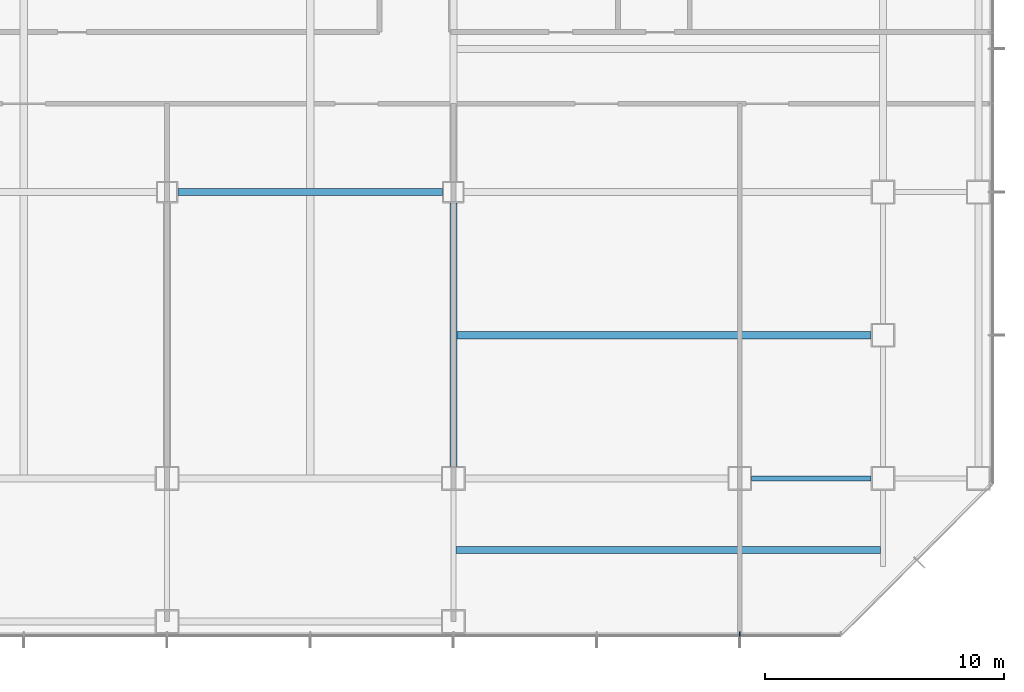
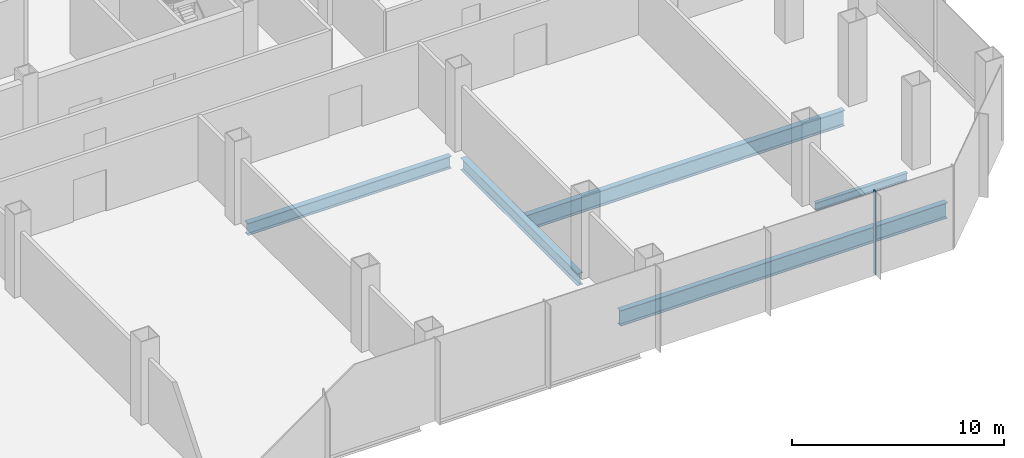
# One storey, part 9 of 33: 5 beams, 1 member, 1 element without a shape of its own.
"""IFC4 building model written with IfcOpenShell, lengths in metres."""

from ifc_helpers import new_model, si_unit, direction, frame, origin, origin_2d, place, context, subcontext, project, spatial, rectangle, i_section, extrude, material, material_profile, profile_set, type_object, element, aggregate, save


model = new_model("IFC4")

# Units and contexts
model_context = context("Model", 3, precision=1e-05, world=origin(), true_north=direction((0.0, 1.0)))
body_context = subcontext(model_context, "Body", "Model", "MODEL_VIEW")
ifc_project = project(units=[si_unit("LENGTHUNIT", "METRE"), si_unit("AREAUNIT", "SQUARE_METRE"), si_unit("VOLUMEUNIT", "CUBIC_METRE"), si_unit("PLANEANGLEUNIT", "RADIAN"), si_unit("MASSUNIT", "GRAM", prefix="KILO")], contexts=[model_context])

# Site, building, storey
site_placement = place(None, origin())
site = spatial("IfcSite", under=ifc_project, at=site_placement, CompositionType="ELEMENT")
building_placement = place(site_placement, origin())
building = spatial("IfcBuilding", under=site, at=building_placement, Name="Sorahane Residences", CompositionType="ELEMENT")
storey_placement = place(building_placement, frame((0.0, 0.0, 30.0)))
storey = spatial("IfcBuildingStorey", under=building, at=storey_placement, Name="L04", CompositionType="ELEMENT", Elevation=30.0)

# Curtain wall, member
ifc_material_1 = material(Name="Dark low-e glass and black anodised aluminium", Category="aluminium")
curtain_wall_type = type_object("IfcCurtainWallType", Name="Curtain wall CW-3 Podium unitised wall", PredefinedType="NOTDEFINED", material=ifc_material_1)
curtain_wall_placement = place(storey_placement, origin())
curtain_wall = element("IfcCurtainWall", 1, at=curtain_wall_placement, inside=storey, type_object=curtain_wall_type, Name="CW-3 curtain wall L04 S1", PredefinedType="NOTDEFINED")
ifc_material_2 = material(Name="Black anodised aluminium", Category="aluminium")
ifc_material_profile_1 = material_profile(ifc_material_2, rectangle(XDim=0.199951171875, YDim=0.050048828125, at=origin_2d()), Name="Curtain wall mullion CW-3 black anodised aluminium 50x200")
ifc_profile_set_1 = profile_set([ifc_material_profile_1], Name="Black anodised aluminium")
member_type = type_object("IfcMemberType", Name="Curtain wall mullion CW-3 black anodised aluminium 50x200", PredefinedType="MULLION", material=ifc_profile_set_1)
member_placement = place(storey_placement, frame((60.0, -6.52001953125, -0.39990234375), z_axis=(0.0, 0.0, 1.0), x_axis=(0.0, -1.0, 0.0)))
member = element("IfcMember", 2, at=member_placement, type_object=member_type, Name="CW-3 mullion L04 S1.10", PredefinedType="MULLION", context=body_context, shape_type="SweptSolid", body=[
    extrude(rectangle(XDim=0.199951171875, YDim=0.050048828125, at=origin_2d()), origin(), (0.0, 0.0, 1.0), 4.7998046875),
])
aggregate(curtain_wall, [member])

# Beams
ifc_material_3 = material(Name="Steel Q355B", Category="steel")
ifc_material_profile_2 = material_profile(ifc_material_3, i_section(OverallWidth=0.199951171875, OverallDepth=0.449951171875, WebThickness=0.009033203125, FlangeThickness=0.013916015625, FilletRadius=0.02001953125, at=origin_2d()), Name="HN 450x200x9x14")
ifc_profile_set_2 = profile_set([ifc_material_profile_2], Name="Steel Q355B")
beam_type_1 = type_object("IfcBeamType", Name="Steel floor beam HN 450x200x9x14 Q355B", PredefinedType="BEAM", material=ifc_profile_set_2)
beam_1_placement = place(storey_placement, frame((60.5, 0.0, -0.625), z_axis=(1.0, 0.0, 0.0), x_axis=(0.0, 1.0, 0.0)))
element("IfcBeam", 3, at=beam_1_placement, inside=storey, type_object=beam_type_1, Name="Beam L04 006", PredefinedType="BEAM", context=body_context, shape_type="SweptSolid", body=[
    extrude(i_section(OverallWidth=0.199951171875, OverallDepth=0.449951171875, WebThickness=0.009033203125, FlangeThickness=0.013916015625, FilletRadius=0.02001953125, at=origin_2d()), origin(), (0.0, 0.0, 1.0), 5.0),
])
ifc_material_4 = material(Name="Steel Q355B", Category="steel")
ifc_material_profile_3 = material_profile(ifc_material_4, i_section(OverallWidth=0.300048828125, OverallDepth=0.699951171875, WebThickness=0.012939453125, FlangeThickness=0.02392578125, FilletRadius=0.028076171875, at=origin_2d()), Name="HN 700x300x13x24")
ifc_profile_set_3 = profile_set([ifc_material_profile_3], Name="Steel Q355B")
beam_type_2 = type_object("IfcBeamType", Name="Steel floor beam HN 700x300x13x24 Q355B", PredefinedType="BEAM", material=ifc_profile_set_3)
beam_2_placement = place(storey_placement, frame((36.449951171875, 12.0, -0.75), z_axis=(1.0, 0.0, 0.0), x_axis=(0.0, 1.0, 0.0)))
element("IfcBeam", 4, at=beam_2_placement, inside=storey, type_object=beam_type_2, Name="Beam L04 011", PredefinedType="BEAM", context=body_context, shape_type="SweptSolid", body=[
    extrude(i_section(OverallWidth=0.300048828125, OverallDepth=0.699951171875, WebThickness=0.012939453125, FlangeThickness=0.02392578125, FilletRadius=0.028076171875, at=origin_2d()), origin(), (0.0, 0.0, 1.0), 11.10009765625),
])
beam_3_placement = place(storey_placement, frame((48.0, 0.5, -0.75), z_axis=(0.0, 1.0, 0.0), x_axis=(-1.0, 0.0, 0.0)))
element("IfcBeam", 5, at=beam_3_placement, inside=storey, type_object=beam_type_2, Name="Beam L04 063", PredefinedType="BEAM", context=body_context, shape_type="SweptSolid", body=[
    extrude(i_section(OverallWidth=0.300048828125, OverallDepth=0.699951171875, WebThickness=0.012939453125, FlangeThickness=0.02392578125, FilletRadius=0.028076171875, at=origin_2d()), origin(), (0.0, 0.0, 1.0), 11.050048828125),
])
ifc_material_5 = material(Name="Steel Q355B", Category="steel")
ifc_material_profile_4 = material_profile(ifc_material_5, i_section(OverallWidth=0.300048828125, OverallDepth=0.89990234375, WebThickness=0.01611328125, FlangeThickness=0.028076171875, FilletRadius=0.028076171875, at=origin_2d()), Name="HN 900x300x16x28")
ifc_profile_set_4 = profile_set([ifc_material_profile_4], Name="Steel Q355B")
beam_type_3 = type_object("IfcBeamType", Name="Steel floor beam HN 900x300x16x28 Q355B", PredefinedType="BEAM", material=ifc_profile_set_4)
beam_4_placement = place(storey_placement, frame((48.150146484375, 6.0, -0.85009765625), z_axis=(1.0, 0.0, 0.0), x_axis=(0.0, 1.0, 0.0)))
element("IfcBeam", 6, at=beam_4_placement, inside=storey, type_object=beam_type_3, Name="Beam L04 083", PredefinedType="BEAM", context=body_context, shape_type="SweptSolid", body=[
    extrude(i_section(OverallWidth=0.300048828125, OverallDepth=0.89990234375, WebThickness=0.01611328125, FlangeThickness=0.028076171875, FilletRadius=0.028076171875, at=origin_2d()), origin(), (0.0, 0.0, 1.0), 17.349609375),
])
beam_5_placement = place(storey_placement, frame((48.10009765625, -3.0, -0.85009765625), z_axis=(1.0, 0.0, 0.0), x_axis=(0.0, 1.0, 0.0)))
element("IfcBeam", 7, at=beam_5_placement, inside=storey, type_object=beam_type_3, Name="Beam L04 088", PredefinedType="BEAM", context=body_context, shape_type="SweptSolid", body=[
    extrude(i_section(OverallWidth=0.300048828125, OverallDepth=0.89990234375, WebThickness=0.01611328125, FlangeThickness=0.028076171875, FilletRadius=0.028076171875, at=origin_2d()), origin(), (0.0, 0.0, 1.0), 17.7998046875),
])

save(model, "model.ifc")
